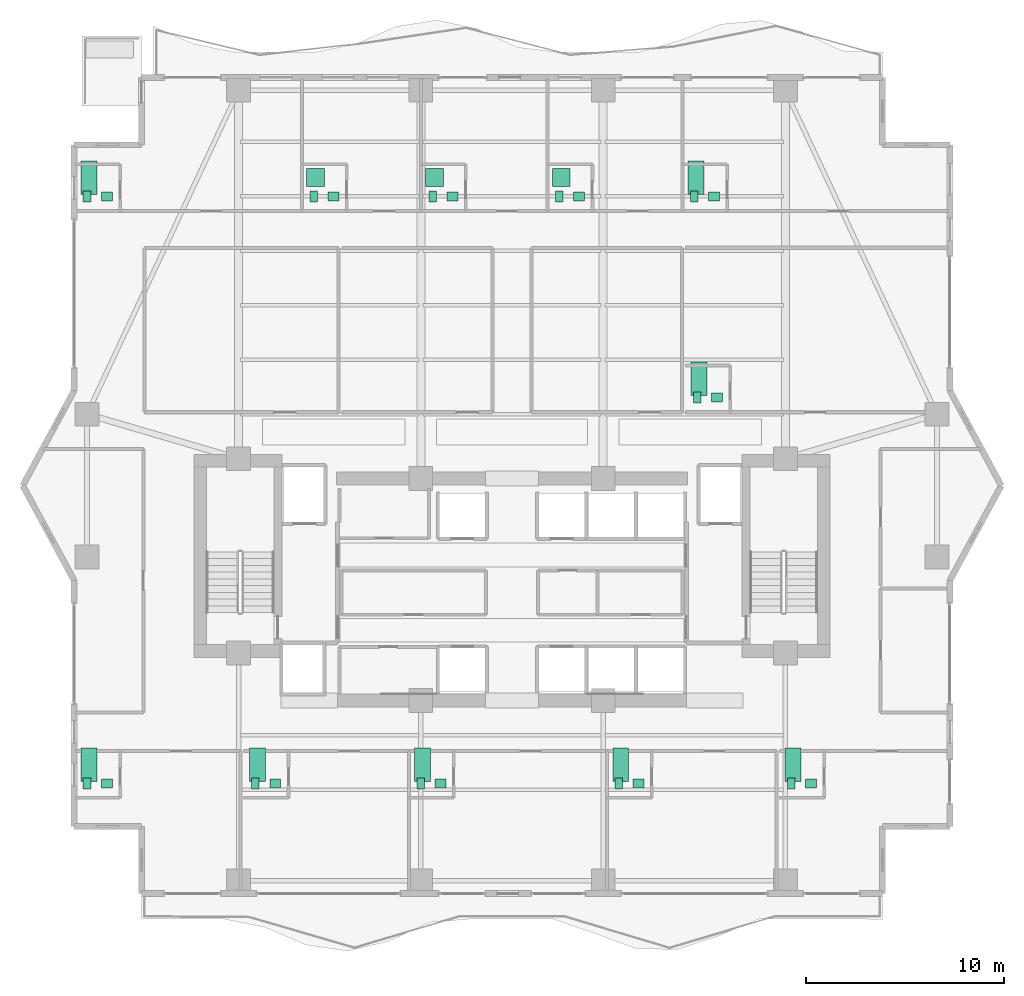
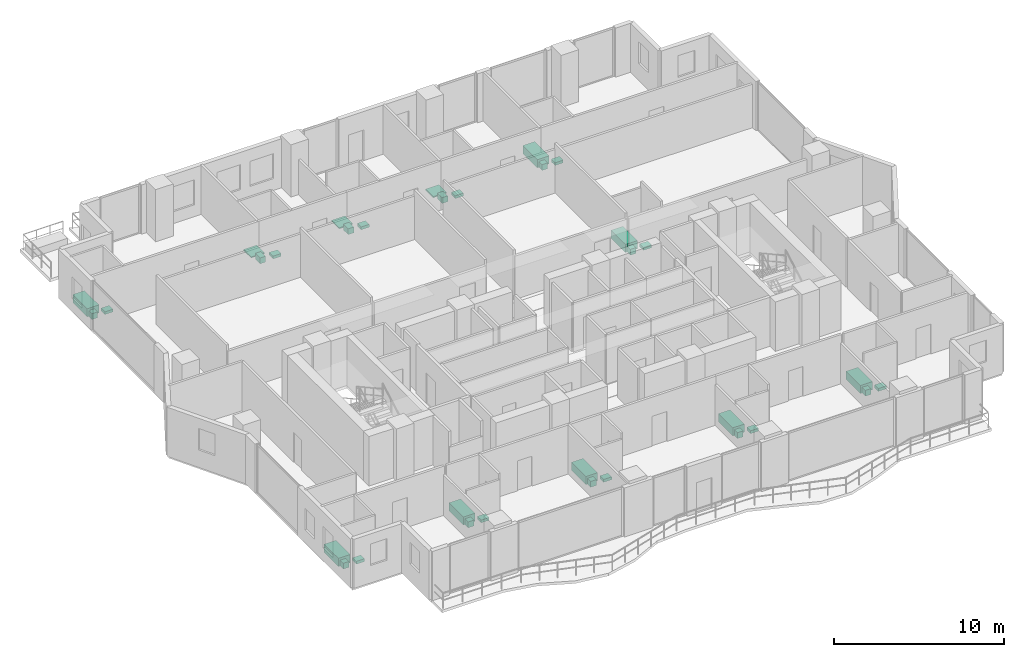
# One storey, part 32 of 32: 33 sanitary terminals.
"""IFC4 building model written with IfcOpenShell, lengths in metres."""

from ifc_helpers import new_model, si_unit, direction, frame, origin, origin_2d, place, context, subcontext, project, spatial, rectangle, extrude, material, type_object, element, save


model = new_model("IFC4")

# Units and contexts
model_context = context("Model", 3, precision=1e-05, world=origin(), true_north=direction((0.0, 1.0)))
body_context = subcontext(model_context, "Body", "Model", "MODEL_VIEW")
ifc_project = project(units=[si_unit("LENGTHUNIT", "METRE"), si_unit("AREAUNIT", "SQUARE_METRE"), si_unit("VOLUMEUNIT", "CUBIC_METRE"), si_unit("PLANEANGLEUNIT", "RADIAN"), si_unit("MASSUNIT", "GRAM", prefix="KILO")], contexts=[model_context])

# Site, building, storey
site_placement = place(None, origin())
site = spatial("IfcSite", under=ifc_project, at=site_placement, CompositionType="ELEMENT")
building_placement = place(site_placement, origin())
building = spatial("IfcBuilding", under=site, at=building_placement, Name="Zuhayl Quay Hotel", CompositionType="ELEMENT")
storey_placement = place(building_placement, frame((0.0, 0.0, 184.89990234375)))
storey = spatial("IfcBuildingStorey", under=building, at=storey_placement, Name="L46", CompositionType="ELEMENT", Elevation=184.89990234375)

# Sanitary terminals
ifc_material = material(Name="Vitreous Porcelain Sanitaryware")
sanitary_terminal_type_1 = type_object("IfcSanitaryTerminalType", Name="SAN_BASIN", PredefinedType="WASHHANDBASIN", material=ifc_material)
for number, where, z_axis, x_axis, name in (
    (1, (-20.449951171875, 27.590087890625, 0.0), (0.0, 0.0, 1.0), (1.0, 0.0, 0.0), "L46 Sanitary Fixture WASHHANDBASIN"),
    (2, (-9.010009765625, 27.590087890625, 0.0), (0.0, 0.0, 1.0), (1.0, 0.0, 0.0), "L46 Sanitary Fixture WASHHANDBASIN"),
    (3, (-3.010009765625, 27.590087890625, 0.0), (0.0, 0.0, 1.0), (1.0, 0.0, 0.0), "L46 Sanitary Fixture WASHHANDBASIN"),
    (4, (3.389892578125, 27.590087890625, 0.0), (0.0, 0.0, 1.0), (1.0, 0.0, 0.0), "L46 Sanitary Fixture WASHHANDBASIN"),
    (5, (10.18994140625, 27.590087890625, 0.0), (0.0, 0.0, 1.0), (1.0, 0.0, 0.0), "L46 Sanitary Fixture WASHHANDBASIN"),
    (6, (10.340087890625, 17.43994140625, 0.0), (0.0, 0.0, 1.0), (1.0, 0.0, 0.0), "L46 Sanitary Fixture WASHHANDBASIN"),
    (7, (-20.449951171875, -2.0400390625, 0.0), (0.0, 0.0, 1.0), (1.0, 0.0, 0.0), "L46 Sanitary Fixture WASHHANDBASIN"),
    (8, (-11.949951171875, -2.0400390625, 0.0), (0.0, 0.0, 1.0), (1.0, 0.0, 0.0), "L46 Sanitary Fixture WASHHANDBASIN"),
    (9, (-3.610107421875, -2.0400390625, 0.0), (0.0, 0.0, 1.0), (1.0, 0.0, 0.0), "L46 Sanitary Fixture WASHHANDBASIN"),
    (10, (6.389892578125, -2.0400390625, 0.0), (0.0, 0.0, 1.0), (1.0, 0.0, 0.0), "L46 Sanitary Fixture WASHHANDBASIN"),
    (11, (15.090087890625, -2.0400390625, 0.0), (0.0, 0.0, 1.0), (1.0, 0.0, 0.0), "L46 Sanitary Fixture WASHHANDBASIN"),
):
    element("IfcSanitaryTerminal", number, at=place(storey_placement, frame(where, z_axis=z_axis, x_axis=x_axis)), inside=storey, type_object=sanitary_terminal_type_1, Name=name, PredefinedType="WASHHANDBASIN", context=body_context, shape_type="SweptSolid", body=[
        extrude(rectangle(XDim=0.550048828125, YDim=0.449951171875, at=origin_2d()), origin(), (0.0, 0.0, 1.0), 0.199951171875),
    ])
sanitary_terminal_type_2 = type_object("IfcSanitaryTerminalType", Name="SAN_BATH", PredefinedType="BATH", material=ifc_material)
for number, where, z_axis, x_axis, name in (
    (12, (-21.35009765625, 28.5400390625, 0.0), (0.0, 0.0, 1.0), (1.0, 0.0, 0.0), "L46 Sanitary Fixture BATH"),
    (13, (9.2900390625, 28.5400390625, 0.0), (0.0, 0.0, 1.0), (1.0, 0.0, 0.0), "L46 Sanitary Fixture BATH"),
    (14, (9.43994140625, 18.389892578125, 0.0), (0.0, 0.0, 1.0), (1.0, 0.0, 0.0), "L46 Sanitary Fixture BATH"),
    (15, (-21.35009765625, -1.090087890625, 0.0), (0.0, 0.0, 1.0), (1.0, 0.0, 0.0), "L46 Sanitary Fixture BATH"),
    (16, (-12.85009765625, -1.090087890625, 0.0), (0.0, 0.0, 1.0), (1.0, 0.0, 0.0), "L46 Sanitary Fixture BATH"),
    (17, (-4.510009765625, -1.090087890625, 0.0), (0.0, 0.0, 1.0), (1.0, 0.0, 0.0), "L46 Sanitary Fixture BATH"),
    (18, (5.489990234375, -1.090087890625, 0.0), (0.0, 0.0, 1.0), (1.0, 0.0, 0.0), "L46 Sanitary Fixture BATH"),
    (19, (14.18994140625, -1.090087890625, 0.0), (0.0, 0.0, 1.0), (1.0, 0.0, 0.0), "L46 Sanitary Fixture BATH"),
):
    element("IfcSanitaryTerminal", number, at=place(storey_placement, frame(where, z_axis=z_axis, x_axis=x_axis)), inside=storey, type_object=sanitary_terminal_type_2, Name=name, PredefinedType="BATH", context=body_context, shape_type="SweptSolid", body=[
        extrude(rectangle(XDim=0.800048828125, YDim=1.699951171875, at=origin_2d()), origin(), (0.0, 0.0, 1.0), 0.580078125),
    ])
sanitary_terminal_type_3 = type_object("IfcSanitaryTerminalType", Name="SAN_SHOWER", PredefinedType="SHOWER", material=ifc_material)
for number, where, z_axis, x_axis, name in (
    (20, (-9.909912109375, 28.5400390625, 0.0), (0.0, 0.0, 1.0), (1.0, 0.0, 0.0), "L46 Sanitary Fixture SHOWER"),
    (21, (-3.909912109375, 28.5400390625, 0.0), (0.0, 0.0, 1.0), (1.0, 0.0, 0.0), "L46 Sanitary Fixture SHOWER"),
    (22, (2.489990234375, 28.5400390625, 0.0), (0.0, 0.0, 1.0), (1.0, 0.0, 0.0), "L46 Sanitary Fixture SHOWER"),
):
    element("IfcSanitaryTerminal", number, at=place(storey_placement, frame(where, z_axis=z_axis, x_axis=x_axis)), inside=storey, type_object=sanitary_terminal_type_3, Name=name, PredefinedType="SHOWER", context=body_context, shape_type="SweptSolid", body=[
        extrude(rectangle(XDim=0.89990234375, YDim=0.89990234375, at=origin_2d()), origin(), (0.0, 0.0, 1.0), 0.080078125),
    ])
sanitary_terminal_type_4 = type_object("IfcSanitaryTerminalType", Name="SAN_WC", PredefinedType="TOILETPAN", material=ifc_material)
for number, where, z_axis, x_axis, name in (
    (23, (-21.449951171875, 27.590087890625, 0.000244140625), (0.0, 0.0, 1.0), (1.0, 0.0, 0.0), "L46 Sanitary Fixture TOILETPAN"),
    (24, (-10.010009765625, 27.590087890625, 0.000244140625), (0.0, 0.0, 1.0), (1.0, 0.0, 0.0), "L46 Sanitary Fixture TOILETPAN"),
    (25, (-4.010009765625, 27.590087890625, 0.000244140625), (0.0, 0.0, 1.0), (1.0, 0.0, 0.0), "L46 Sanitary Fixture TOILETPAN"),
    (26, (2.389892578125, 27.590087890625, 0.000244140625), (0.0, 0.0, 1.0), (1.0, 0.0, 0.0), "L46 Sanitary Fixture TOILETPAN"),
    (27, (9.18994140625, 27.590087890625, 0.000244140625), (0.0, 0.0, 1.0), (1.0, 0.0, 0.0), "L46 Sanitary Fixture TOILETPAN"),
    (28, (9.340087890625, 17.43994140625, 0.000244140625), (0.0, 0.0, 1.0), (1.0, 0.0, 0.0), "L46 Sanitary Fixture TOILETPAN"),
    (29, (-21.449951171875, -2.0400390625, 0.000244140625), (0.0, 0.0, 1.0), (1.0, 0.0, 0.0), "L46 Sanitary Fixture TOILETPAN"),
    (30, (-12.949951171875, -2.0400390625, 0.000244140625), (0.0, 0.0, 1.0), (1.0, 0.0, 0.0), "L46 Sanitary Fixture TOILETPAN"),
    (31, (-4.610107421875, -2.0400390625, 0.000244140625), (0.0, 0.0, 1.0), (1.0, 0.0, 0.0), "L46 Sanitary Fixture TOILETPAN"),
    (32, (5.389892578125, -2.0400390625, 0.000244140625), (0.0, 0.0, 1.0), (1.0, 0.0, 0.0), "L46 Sanitary Fixture TOILETPAN"),
    (33, (14.090087890625, -2.0400390625, 0.000244140625), (0.0, 0.0, 1.0), (1.0, 0.0, 0.0), "L46 Sanitary Fixture TOILETPAN"),
):
    element("IfcSanitaryTerminal", number, at=place(storey_placement, frame(where, z_axis=z_axis, x_axis=x_axis)), inside=storey, type_object=sanitary_terminal_type_4, Name=name, PredefinedType="TOILETPAN", context=body_context, shape_type="SweptSolid", body=[
        extrude(rectangle(XDim=0.3798828125, YDim=0.56005859375, at=origin_2d()), origin(), (0.0, 0.0, 1.0), 0.419921875),
    ])

save(model, "model.ifc")
